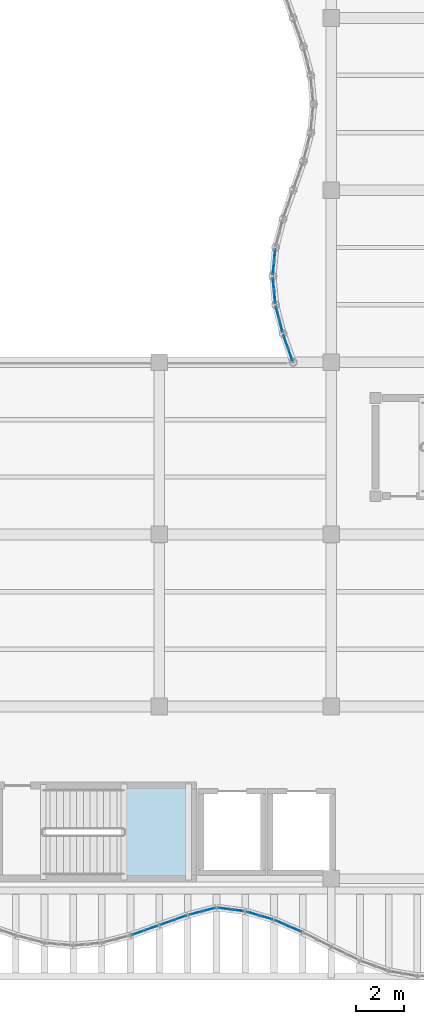
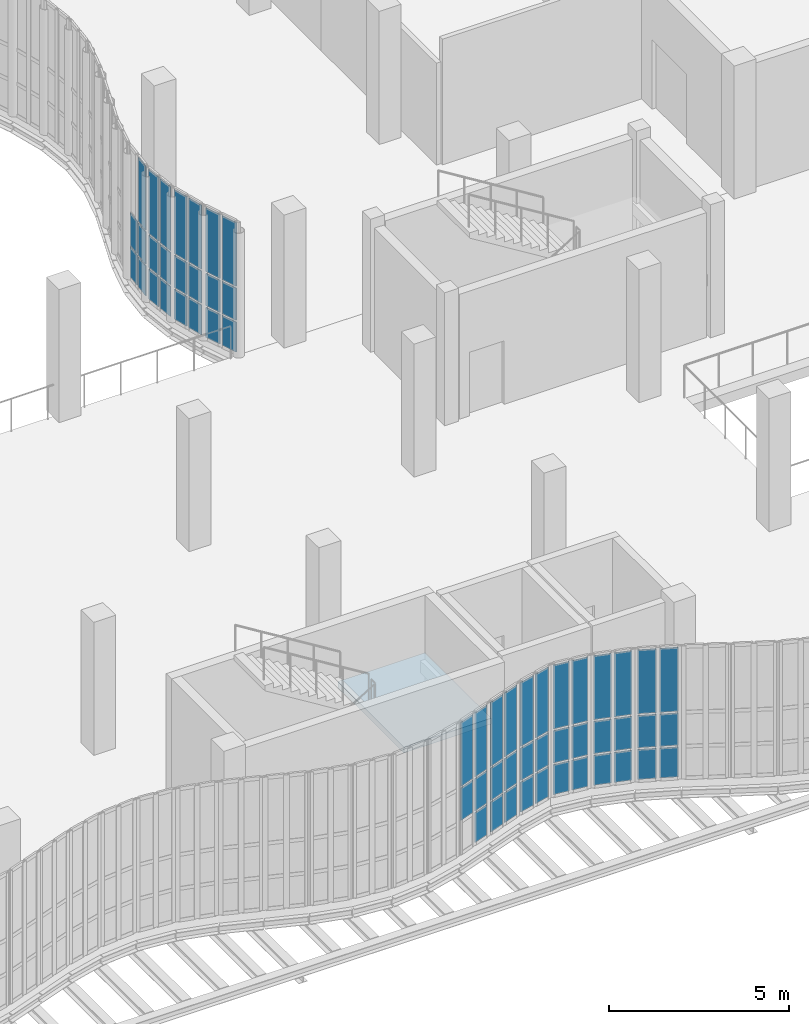
# One storey, part 70 of 108: 58 plates, 1 slab, 11 elements without a shape of their own.
"""IFC4 building model written with IfcOpenShell, lengths in metres."""

from ifc_helpers import new_model, si_unit, direction, frame, origin, origin_2d, place, context, subcontext, project, spatial, polyline, rectangle, outline, extrude, material, layer, layer_set, type_object, element, aggregate, save


model = new_model("IFC4")

# Units and contexts
model_context = context("Model", 3, precision=1e-05, world=origin(), true_north=direction((0.0, 1.0)))
body_context = subcontext(model_context, "Body", "Model", "MODEL_VIEW")
ifc_project = project(units=[si_unit("LENGTHUNIT", "METRE"), si_unit("AREAUNIT", "SQUARE_METRE"), si_unit("VOLUMEUNIT", "CUBIC_METRE"), si_unit("PLANEANGLEUNIT", "RADIAN"), si_unit("MASSUNIT", "GRAM", prefix="KILO"), si_unit("THERMODYNAMICTEMPERATUREUNIT", "KELVIN"), si_unit("POWERUNIT", "WATT")], contexts=[model_context])

# Site, building, storey
site_placement = place(None, origin())
site = spatial("IfcSite", under=ifc_project, at=site_placement, CompositionType="ELEMENT")
building_placement = place(site_placement, origin())
building = spatial("IfcBuilding", under=site, at=building_placement, Name="Kaldorven Railside Theatre", CompositionType="ELEMENT")
storey_placement = place(building_placement, frame((0.0, 0.0, 5.39990234375)))
storey = spatial("IfcBuildingStorey", under=building, at=storey_placement, Name="L01", CompositionType="ELEMENT", Elevation=5.39990234375)

# Curtain wall, plates
ifc_material_1 = material(Name="Low-E laminated solar-control glass", Category="glass")
ifc_layer_1 = layer(ifc_material_1, 0.159912109375, Name="Low-E laminated solar-control glass")
ifc_layer_set_1 = layer_set([ifc_layer_1], Name="Low-E laminated solar-control glass")
curtain_wall_type_1 = type_object("IfcCurtainWallType", Name="CWT-01", PredefinedType="USERDEFINED", material=ifc_layer_set_1)
curtain_wall_1_placement = place(storey_placement, origin())
curtain_wall_1 = element("IfcCurtainWall", 1, at=curtain_wall_1_placement, inside=storey, type_object=curtain_wall_type_1, Name="Sinusoidal Fluted Curtain Wall CW-L01-S24", ObjectType="FLUTED GLAZING", PredefinedType="USERDEFINED")
ifc_layer_2 = layer(ifc_material_1, 0.028076171875, Name="Low-E laminated solar-control glass")
ifc_layer_set_2 = layer_set([ifc_layer_2], Name="Low-E laminated solar-control glass")
plate_type = type_object("IfcPlateType", Name="CWP-GLZ28", PredefinedType="CURTAIN_PANEL", material=ifc_layer_set_2)
plate_1_placement = place(storey_placement, frame((64.71875, 16.93798828125, 1.1298828125), z_axis=(0.0, 0.0, 1.0), x_axis=(0.942627225159, 0.33384714225, 0.0)))
plate_1 = element("IfcPlate", 2, at=plate_1_placement, type_object=plate_type, Name="CW-L01-S24 panel 1.2", PredefinedType="CURTAIN_PANEL", context=body_context, shape_type="SweptSolid", body=[
    extrude(rectangle(XDim=0.5166015625, YDim=0.028076171875, at=origin_2d()), origin(), (0.0, 0.0, 1.0), 1.090087890625),
])
plate_2_placement = place(storey_placement, frame((64.71875, 16.93798828125, 2.2802734375), z_axis=(0.0, 0.0, 1.0), x_axis=(0.942627225159, 0.33384714225, 0.0)))
plate_2 = element("IfcPlate", 3, at=plate_2_placement, type_object=plate_type, Name="CW-L01-S24 panel 1.3", PredefinedType="CURTAIN_PANEL", context=body_context, shape_type="SweptSolid", body=[
    extrude(rectangle(XDim=0.5166015625, YDim=0.028076171875, at=origin_2d()), origin(), (0.0, 0.0, 1.0), 2.159912109375),
])
plate_3_placement = place(storey_placement, frame((65.28125, 17.136962890625, 0.06005859375), z_axis=(0.0, 0.0, 1.0), x_axis=(0.942627225159, 0.33384714225, 0.0)))
plate_3 = element("IfcPlate", 4, at=plate_3_placement, type_object=plate_type, Name="CW-L01-S24 panel 2.1", PredefinedType="CURTAIN_PANEL", context=body_context, shape_type="SweptSolid", body=[
    extrude(rectangle(XDim=0.5166015625, YDim=0.028076171875, at=origin_2d()), origin(), (0.0, 0.0, 1.0), 1.010009765625),
])
plate_4_placement = place(storey_placement, frame((65.28125, 17.136962890625, 1.1298828125), z_axis=(0.0, 0.0, 1.0), x_axis=(0.942627225159, 0.33384714225, 0.0)))
plate_4 = element("IfcPlate", 5, at=plate_4_placement, type_object=plate_type, Name="CW-L01-S24 panel 2.2", PredefinedType="CURTAIN_PANEL", context=body_context, shape_type="SweptSolid", body=[
    extrude(rectangle(XDim=0.5166015625, YDim=0.028076171875, at=origin_2d()), origin(), (0.0, 0.0, 1.0), 1.090087890625),
])
plate_5_placement = place(storey_placement, frame((65.28125, 17.136962890625, 2.2802734375), z_axis=(0.0, 0.0, 1.0), x_axis=(0.942627225159, 0.33384714225, 0.0)))
plate_5 = element("IfcPlate", 6, at=plate_5_placement, type_object=plate_type, Name="CW-L01-S24 panel 2.3", PredefinedType="CURTAIN_PANEL", context=body_context, shape_type="SweptSolid", body=[
    extrude(rectangle(XDim=0.5166015625, YDim=0.028076171875, at=origin_2d()), origin(), (0.0, 0.0, 1.0), 2.159912109375),
])
aggregate(curtain_wall_1, [plate_1, plate_2, plate_3, plate_4, plate_5])

curtain_wall_2_placement = place(storey_placement, origin())
curtain_wall_2 = element("IfcCurtainWall", 7, at=curtain_wall_2_placement, inside=storey, type_object=curtain_wall_type_1, Name="Sinusoidal Fluted Curtain Wall CW-L01-S25", ObjectType="FLUTED GLAZING", PredefinedType="USERDEFINED")
plate_6_placement = place(storey_placement, frame((65.9189453125, 17.363037109375, 0.06005859375), z_axis=(0.0, 0.0, 1.0), x_axis=(0.942627225159, 0.33384714225, 0.0)))
plate_6 = element("IfcPlate", 8, at=plate_6_placement, type_object=plate_type, Name="CW-L01-S25 panel 1.1", PredefinedType="CURTAIN_PANEL", context=body_context, shape_type="SweptSolid", body=[
    extrude(rectangle(XDim=0.5166015625, YDim=0.028076171875, at=origin_2d()), origin(), (0.0, 0.0, 1.0), 1.010009765625),
])
plate_7_placement = place(storey_placement, frame((65.9189453125, 17.363037109375, 1.1298828125), z_axis=(0.0, 0.0, 1.0), x_axis=(0.942627225159, 0.33384714225, 0.0)))
plate_7 = element("IfcPlate", 9, at=plate_7_placement, type_object=plate_type, Name="CW-L01-S25 panel 1.2", PredefinedType="CURTAIN_PANEL", context=body_context, shape_type="SweptSolid", body=[
    extrude(rectangle(XDim=0.5166015625, YDim=0.028076171875, at=origin_2d()), origin(), (0.0, 0.0, 1.0), 1.090087890625),
])
plate_8_placement = place(storey_placement, frame((65.9189453125, 17.363037109375, 2.2802734375), z_axis=(0.0, 0.0, 1.0), x_axis=(0.942627225159, 0.33384714225, 0.0)))
plate_8 = element("IfcPlate", 10, at=plate_8_placement, type_object=plate_type, Name="CW-L01-S25 panel 1.3", PredefinedType="CURTAIN_PANEL", context=body_context, shape_type="SweptSolid", body=[
    extrude(rectangle(XDim=0.5166015625, YDim=0.028076171875, at=origin_2d()), origin(), (0.0, 0.0, 1.0), 2.159912109375),
])
plate_9_placement = place(storey_placement, frame((66.481201171875, 17.56201171875, 0.06005859375), z_axis=(0.0, 0.0, 1.0), x_axis=(0.942627225159, 0.33384714225, 0.0)))
plate_9 = element("IfcPlate", 11, at=plate_9_placement, type_object=plate_type, Name="CW-L01-S25 panel 2.1", PredefinedType="CURTAIN_PANEL", context=body_context, shape_type="SweptSolid", body=[
    extrude(rectangle(XDim=0.5166015625, YDim=0.028076171875, at=origin_2d()), origin(), (0.0, 0.0, 1.0), 1.010009765625),
])
plate_10_placement = place(storey_placement, frame((66.481201171875, 17.56201171875, 1.1298828125), z_axis=(0.0, 0.0, 1.0), x_axis=(0.942627225159, 0.33384714225, 0.0)))
plate_10 = element("IfcPlate", 12, at=plate_10_placement, type_object=plate_type, Name="CW-L01-S25 panel 2.2", PredefinedType="CURTAIN_PANEL", context=body_context, shape_type="SweptSolid", body=[
    extrude(rectangle(XDim=0.5166015625, YDim=0.028076171875, at=origin_2d()), origin(), (0.0, 0.0, 1.0), 1.090087890625),
])
plate_11_placement = place(storey_placement, frame((66.481201171875, 17.56201171875, 2.2802734375), z_axis=(0.0, 0.0, 1.0), x_axis=(0.942627225159, 0.33384714225, 0.0)))
plate_11 = element("IfcPlate", 13, at=plate_11_placement, type_object=plate_type, Name="CW-L01-S25 panel 2.3", PredefinedType="CURTAIN_PANEL", context=body_context, shape_type="SweptSolid", body=[
    extrude(rectangle(XDim=0.5166015625, YDim=0.028076171875, at=origin_2d()), origin(), (0.0, 0.0, 1.0), 2.159912109375),
])
aggregate(curtain_wall_2, [plate_6, plate_7, plate_8, plate_9, plate_10, plate_11])

ifc_layer_3 = layer(ifc_material_1, 0.159912109375, Name="Low-E laminated solar-control glass")
ifc_layer_set_3 = layer_set([ifc_layer_3], Name="Low-E laminated solar-control glass")
curtain_wall_type_2 = type_object("IfcCurtainWallType", Name="CWT-02", PredefinedType="USERDEFINED", material=ifc_layer_set_3)
curtain_wall_3_placement = place(storey_placement, origin())
curtain_wall_3 = element("IfcCurtainWall", 14, at=curtain_wall_3_placement, inside=storey, type_object=curtain_wall_type_2, Name="Sinusoidal Fluted Curtain Wall CW-L01-S26", ObjectType="FLUTED GLAZING", PredefinedType="USERDEFINED")
plate_12_placement = place(storey_placement, frame((67.119384765625, 17.7578125, 0.06005859375), z_axis=(0.0, 0.0, 1.0), x_axis=(0.967999075505, 0.250953760326, 0.0)))
plate_12 = element("IfcPlate", 15, at=plate_12_placement, type_object=plate_type, Name="CW-L01-S26 panel 1.1", PredefinedType="CURTAIN_PANEL", context=body_context, shape_type="SweptSolid", body=[
    extrude(rectangle(XDim=0.499755859375, YDim=0.028076171875, at=origin_2d()), origin(), (0.0, 0.0, 1.0), 1.010009765625),
])
plate_13_placement = place(storey_placement, frame((67.119384765625, 17.7578125, 1.1298828125), z_axis=(0.0, 0.0, 1.0), x_axis=(0.967999075505, 0.250953760326, 0.0)))
plate_13 = element("IfcPlate", 16, at=plate_13_placement, type_object=plate_type, Name="CW-L01-S26 panel 1.2", PredefinedType="CURTAIN_PANEL", context=body_context, shape_type="SweptSolid", body=[
    extrude(rectangle(XDim=0.499755859375, YDim=0.028076171875, at=origin_2d()), origin(), (0.0, 0.0, 1.0), 1.090087890625),
])
plate_14_placement = place(storey_placement, frame((67.119384765625, 17.7578125, 2.2802734375), z_axis=(0.0, 0.0, 1.0), x_axis=(0.967999075505, 0.250953760326, 0.0)))
plate_14 = element("IfcPlate", 17, at=plate_14_placement, type_object=plate_type, Name="CW-L01-S26 panel 1.3", PredefinedType="CURTAIN_PANEL", context=body_context, shape_type="SweptSolid", body=[
    extrude(rectangle(XDim=0.499755859375, YDim=0.028076171875, at=origin_2d()), origin(), (0.0, 0.0, 1.0), 2.159912109375),
])
plate_15_placement = place(storey_placement, frame((67.6806640625, 17.9033203125, 0.06005859375), z_axis=(0.0, 0.0, 1.0), x_axis=(0.967999075505, 0.250953760326, 0.0)))
plate_15 = element("IfcPlate", 18, at=plate_15_placement, type_object=plate_type, Name="CW-L01-S26 panel 2.1", PredefinedType="CURTAIN_PANEL", context=body_context, shape_type="SweptSolid", body=[
    extrude(rectangle(XDim=0.499755859375, YDim=0.028076171875, at=origin_2d()), origin(), (0.0, 0.0, 1.0), 1.010009765625),
])
plate_16_placement = place(storey_placement, frame((67.6806640625, 17.9033203125, 1.1298828125), z_axis=(0.0, 0.0, 1.0), x_axis=(0.967999075505, 0.250953760326, 0.0)))
plate_16 = element("IfcPlate", 19, at=plate_16_placement, type_object=plate_type, Name="CW-L01-S26 panel 2.2", PredefinedType="CURTAIN_PANEL", context=body_context, shape_type="SweptSolid", body=[
    extrude(rectangle(XDim=0.499755859375, YDim=0.028076171875, at=origin_2d()), origin(), (0.0, 0.0, 1.0), 1.090087890625),
])
plate_17_placement = place(storey_placement, frame((67.6806640625, 17.9033203125, 2.2802734375), z_axis=(0.0, 0.0, 1.0), x_axis=(0.967999075505, 0.250953760326, 0.0)))
plate_17 = element("IfcPlate", 20, at=plate_17_placement, type_object=plate_type, Name="CW-L01-S26 panel 2.3", PredefinedType="CURTAIN_PANEL", context=body_context, shape_type="SweptSolid", body=[
    extrude(rectangle(XDim=0.499755859375, YDim=0.028076171875, at=origin_2d()), origin(), (0.0, 0.0, 1.0), 2.159912109375),
])
aggregate(curtain_wall_3, [plate_12, plate_13, plate_14, plate_15, plate_16, plate_17])

ifc_layer_4 = layer(ifc_material_1, 0.159912109375, Name="Low-E laminated solar-control glass")
ifc_layer_set_4 = layer_set([ifc_layer_4], Name="Low-E laminated solar-control glass")
curtain_wall_type_3 = type_object("IfcCurtainWallType", Name="CWT-03", PredefinedType="USERDEFINED", material=ifc_layer_set_4)
curtain_wall_4_placement = place(storey_placement, origin())
curtain_wall_4 = element("IfcCurtainWall", 21, at=curtain_wall_4_placement, inside=storey, type_object=curtain_wall_type_3, Name="Sinusoidal Fluted Curtain Wall CW-L01-S27", ObjectType="FLUTED GLAZING", PredefinedType="USERDEFINED")
plate_18_placement = place(storey_placement, frame((68.31982421875, 17.944580078125, 0.06005859375), z_axis=(0.0, 0.0, 1.0), x_axis=(0.991676733269, -0.12875269587, 0.0)))
plate_18 = element("IfcPlate", 22, at=plate_18_placement, type_object=plate_type, Name="CW-L01-S27 panel 1.1", PredefinedType="CURTAIN_PANEL", context=body_context, shape_type="SweptSolid", body=[
    extrude(rectangle(XDim=0.485107421875, YDim=0.028076171875, at=origin_2d()), origin(), (0.0, 0.0, 1.0), 1.010009765625),
])
plate_19_placement = place(storey_placement, frame((68.31982421875, 17.944580078125, 1.1298828125), z_axis=(0.0, 0.0, 1.0), x_axis=(0.991676733269, -0.12875269587, 0.0)))
plate_19 = element("IfcPlate", 23, at=plate_19_placement, type_object=plate_type, Name="CW-L01-S27 panel 1.2", PredefinedType="CURTAIN_PANEL", context=body_context, shape_type="SweptSolid", body=[
    extrude(rectangle(XDim=0.485107421875, YDim=0.028076171875, at=origin_2d()), origin(), (0.0, 0.0, 1.0), 1.090087890625),
])
plate_20_placement = place(storey_placement, frame((68.31982421875, 17.944580078125, 2.2802734375), z_axis=(0.0, 0.0, 1.0), x_axis=(0.991676733269, -0.12875269587, 0.0)))
plate_20 = element("IfcPlate", 24, at=plate_20_placement, type_object=plate_type, Name="CW-L01-S27 panel 1.3", PredefinedType="CURTAIN_PANEL", context=body_context, shape_type="SweptSolid", body=[
    extrude(rectangle(XDim=0.485107421875, YDim=0.028076171875, at=origin_2d()), origin(), (0.0, 0.0, 1.0), 2.159912109375),
])
plate_21_placement = place(storey_placement, frame((68.880126953125, 17.871826171875, 0.06005859375), z_axis=(0.0, 0.0, 1.0), x_axis=(0.991676733269, -0.12875269587, 0.0)))
plate_21 = element("IfcPlate", 25, at=plate_21_placement, type_object=plate_type, Name="CW-L01-S27 panel 2.1", PredefinedType="CURTAIN_PANEL", context=body_context, shape_type="SweptSolid", body=[
    extrude(rectangle(XDim=0.485107421875, YDim=0.028076171875, at=origin_2d()), origin(), (0.0, 0.0, 1.0), 1.010009765625),
])
plate_22_placement = place(storey_placement, frame((68.880126953125, 17.871826171875, 1.1298828125), z_axis=(0.0, 0.0, 1.0), x_axis=(0.991676733269, -0.12875269587, 0.0)))
plate_22 = element("IfcPlate", 26, at=plate_22_placement, type_object=plate_type, Name="CW-L01-S27 panel 2.2", PredefinedType="CURTAIN_PANEL", context=body_context, shape_type="SweptSolid", body=[
    extrude(rectangle(XDim=0.485107421875, YDim=0.028076171875, at=origin_2d()), origin(), (0.0, 0.0, 1.0), 1.090087890625),
])
plate_23_placement = place(storey_placement, frame((68.880126953125, 17.871826171875, 2.2802734375), z_axis=(0.0, 0.0, 1.0), x_axis=(0.991676733269, -0.12875269587, 0.0)))
plate_23 = element("IfcPlate", 27, at=plate_23_placement, type_object=plate_type, Name="CW-L01-S27 panel 2.3", PredefinedType="CURTAIN_PANEL", context=body_context, shape_type="SweptSolid", body=[
    extrude(rectangle(XDim=0.485107421875, YDim=0.028076171875, at=origin_2d()), origin(), (0.0, 0.0, 1.0), 2.159912109375),
])
aggregate(curtain_wall_4, [plate_18, plate_19, plate_20, plate_21, plate_22, plate_23])

ifc_layer_5 = layer(ifc_material_1, 0.159912109375, Name="Low-E laminated solar-control glass")
ifc_layer_set_5 = layer_set([ifc_layer_5], Name="Low-E laminated solar-control glass")
curtain_wall_type_4 = type_object("IfcCurtainWallType", Name="CWT-04", PredefinedType="USERDEFINED", material=ifc_layer_set_5)
curtain_wall_5_placement = place(storey_placement, origin())
curtain_wall_5 = element("IfcCurtainWall", 28, at=curtain_wall_5_placement, inside=storey, type_object=curtain_wall_type_4, Name="Sinusoidal Fluted Curtain Wall CW-L01-S28", ObjectType="FLUTED GLAZING", PredefinedType="USERDEFINED")
plate_24_placement = place(storey_placement, frame((69.519287109375, 17.736083984375, 0.06005859375), z_axis=(0.0, 0.0, 1.0), x_axis=(0.959157781116, -0.282871615621, 0.0)))
plate_24 = element("IfcPlate", 29, at=plate_24_placement, type_object=plate_type, Name="CW-L01-S28 panel 1.1", PredefinedType="CURTAIN_PANEL", context=body_context, shape_type="SweptSolid", body=[
    extrude(rectangle(XDim=0.505615234375, YDim=0.028076171875, at=origin_2d()), origin(), (0.0, 0.0, 1.0), 1.010009765625),
])
plate_25_placement = place(storey_placement, frame((69.519287109375, 17.736083984375, 1.1298828125), z_axis=(0.0, 0.0, 1.0), x_axis=(0.959157781116, -0.282871615621, 0.0)))
plate_25 = element("IfcPlate", 30, at=plate_25_placement, type_object=plate_type, Name="CW-L01-S28 panel 1.2", PredefinedType="CURTAIN_PANEL", context=body_context, shape_type="SweptSolid", body=[
    extrude(rectangle(XDim=0.505615234375, YDim=0.028076171875, at=origin_2d()), origin(), (0.0, 0.0, 1.0), 1.090087890625),
])
plate_26_placement = place(storey_placement, frame((69.519287109375, 17.736083984375, 2.2802734375), z_axis=(0.0, 0.0, 1.0), x_axis=(0.959157781116, -0.282871615621, 0.0)))
plate_26 = element("IfcPlate", 31, at=plate_26_placement, type_object=plate_type, Name="CW-L01-S28 panel 1.3", PredefinedType="CURTAIN_PANEL", context=body_context, shape_type="SweptSolid", body=[
    extrude(rectangle(XDim=0.505615234375, YDim=0.028076171875, at=origin_2d()), origin(), (0.0, 0.0, 1.0), 2.159912109375),
])
plate_27_placement = place(storey_placement, frame((70.080810546875, 17.570556640625, 0.06005859375), z_axis=(0.0, 0.0, 1.0), x_axis=(0.959157781116, -0.282871615621, 0.0)))
plate_27 = element("IfcPlate", 32, at=plate_27_placement, type_object=plate_type, Name="CW-L01-S28 panel 2.1", PredefinedType="CURTAIN_PANEL", context=body_context, shape_type="SweptSolid", body=[
    extrude(rectangle(XDim=0.505615234375, YDim=0.028076171875, at=origin_2d()), origin(), (0.0, 0.0, 1.0), 1.010009765625),
])
plate_28_placement = place(storey_placement, frame((70.080810546875, 17.570556640625, 1.1298828125), z_axis=(0.0, 0.0, 1.0), x_axis=(0.959157781116, -0.282871615621, 0.0)))
plate_28 = element("IfcPlate", 33, at=plate_28_placement, type_object=plate_type, Name="CW-L01-S28 panel 2.2", PredefinedType="CURTAIN_PANEL", context=body_context, shape_type="SweptSolid", body=[
    extrude(rectangle(XDim=0.505615234375, YDim=0.028076171875, at=origin_2d()), origin(), (0.0, 0.0, 1.0), 1.090087890625),
])
plate_29_placement = place(storey_placement, frame((70.080810546875, 17.570556640625, 2.2802734375), z_axis=(0.0, 0.0, 1.0), x_axis=(0.959157781116, -0.282871615621, 0.0)))
plate_29 = element("IfcPlate", 34, at=plate_29_placement, type_object=plate_type, Name="CW-L01-S28 panel 2.3", PredefinedType="CURTAIN_PANEL", context=body_context, shape_type="SweptSolid", body=[
    extrude(rectangle(XDim=0.505615234375, YDim=0.028076171875, at=origin_2d()), origin(), (0.0, 0.0, 1.0), 2.159912109375),
])
aggregate(curtain_wall_5, [plate_24, plate_25, plate_26, plate_27, plate_28, plate_29])

ifc_layer_6 = layer(ifc_material_1, 0.159912109375, Name="Low-E laminated solar-control glass")
ifc_layer_set_6 = layer_set([ifc_layer_6], Name="Low-E laminated solar-control glass")
curtain_wall_type_5 = type_object("IfcCurtainWallType", Name="CWT-05", PredefinedType="USERDEFINED", material=ifc_layer_set_6)
curtain_wall_6_placement = place(storey_placement, origin())
curtain_wall_6 = element("IfcCurtainWall", 35, at=curtain_wall_6_placement, inside=storey, type_object=curtain_wall_type_5, Name="Sinusoidal Fluted Curtain Wall CW-L01-S29", ObjectType="FLUTED GLAZING", PredefinedType="USERDEFINED")
plate_30_placement = place(storey_placement, frame((70.71826171875, 17.337890625, 0.06005859375), z_axis=(0.0, 0.0, 1.0), x_axis=(0.916997147675, -0.398893759235, 0.0)))
plate_30 = element("IfcPlate", 36, at=plate_30_placement, type_object=plate_type, Name="CW-L01-S29 panel 1.1", PredefinedType="CURTAIN_PANEL", context=body_context, shape_type="SweptSolid", body=[
    extrude(rectangle(XDim=0.534423828125, YDim=0.028076171875, at=origin_2d()), origin(), (0.0, 0.0, 1.0), 1.010009765625),
])
plate_31_placement = place(storey_placement, frame((70.71826171875, 17.337890625, 1.1298828125), z_axis=(0.0, 0.0, 1.0), x_axis=(0.916997147675, -0.398893759235, 0.0)))
plate_31 = element("IfcPlate", 37, at=plate_31_placement, type_object=plate_type, Name="CW-L01-S29 panel 1.2", PredefinedType="CURTAIN_PANEL", context=body_context, shape_type="SweptSolid", body=[
    extrude(rectangle(XDim=0.534423828125, YDim=0.028076171875, at=origin_2d()), origin(), (0.0, 0.0, 1.0), 1.090087890625),
])
plate_32_placement = place(storey_placement, frame((70.71826171875, 17.337890625, 2.2802734375), z_axis=(0.0, 0.0, 1.0), x_axis=(0.916997147675, -0.398893759235, 0.0)))
plate_32 = element("IfcPlate", 38, at=plate_32_placement, type_object=plate_type, Name="CW-L01-S29 panel 1.3", PredefinedType="CURTAIN_PANEL", context=body_context, shape_type="SweptSolid", body=[
    extrude(rectangle(XDim=0.534423828125, YDim=0.028076171875, at=origin_2d()), origin(), (0.0, 0.0, 1.0), 2.159912109375),
])
plate_33_placement = place(storey_placement, frame((71.28173828125, 17.0927734375, 0.06005859375), z_axis=(0.0, 0.0, 1.0), x_axis=(0.916997147675, -0.398893759235, 0.0)))
plate_33 = element("IfcPlate", 39, at=plate_33_placement, type_object=plate_type, Name="CW-L01-S29 panel 2.1", PredefinedType="CURTAIN_PANEL", context=body_context, shape_type="SweptSolid", body=[
    extrude(rectangle(XDim=0.534423828125, YDim=0.028076171875, at=origin_2d()), origin(), (0.0, 0.0, 1.0), 1.010009765625),
])
plate_34_placement = place(storey_placement, frame((71.28173828125, 17.0927734375, 1.1298828125), z_axis=(0.0, 0.0, 1.0), x_axis=(0.916997147675, -0.398893759235, 0.0)))
plate_34 = element("IfcPlate", 40, at=plate_34_placement, type_object=plate_type, Name="CW-L01-S29 panel 2.2", PredefinedType="CURTAIN_PANEL", context=body_context, shape_type="SweptSolid", body=[
    extrude(rectangle(XDim=0.534423828125, YDim=0.028076171875, at=origin_2d()), origin(), (0.0, 0.0, 1.0), 1.090087890625),
])
plate_35_placement = place(storey_placement, frame((71.28173828125, 17.0927734375, 2.2802734375), z_axis=(0.0, 0.0, 1.0), x_axis=(0.916997147675, -0.398893759235, 0.0)))
plate_35 = element("IfcPlate", 41, at=plate_35_placement, type_object=plate_type, Name="CW-L01-S29 panel 2.3", PredefinedType="CURTAIN_PANEL", context=body_context, shape_type="SweptSolid", body=[
    extrude(rectangle(XDim=0.534423828125, YDim=0.028076171875, at=origin_2d()), origin(), (0.0, 0.0, 1.0), 2.159912109375),
])
aggregate(curtain_wall_6, [plate_30, plate_31, plate_32, plate_33, plate_34, plate_35])

curtain_wall_7_placement = place(storey_placement, origin())
curtain_wall_7 = element("IfcCurtainWall", 42, at=curtain_wall_7_placement, inside=storey, type_object=curtain_wall_type_1, Name="Sinusoidal Fluted Curtain Wall CW-L01-W01", ObjectType="FLUTED GLAZING", PredefinedType="USERDEFINED")
plate_36_placement = place(storey_placement, frame((71.087158203125, 41.118896484375, 0.06005859375), z_axis=(0.0, 0.0, 1.0), x_axis=(-0.33384714225, 0.942627225159, 0.0)))
plate_36 = element("IfcPlate", 43, at=plate_36_placement, type_object=plate_type, Name="CW-L01-W01 panel 1.1", PredefinedType="CURTAIN_PANEL", context=body_context, shape_type="SweptSolid", body=[
    extrude(rectangle(XDim=0.5166015625, YDim=0.028076171875, at=origin_2d()), origin(), (0.0, 0.0, 1.0), 1.010009765625),
])
plate_37_placement = place(storey_placement, frame((71.087158203125, 41.118896484375, 1.1298828125), z_axis=(0.0, 0.0, 1.0), x_axis=(-0.33384714225, 0.942627225159, 0.0)))
plate_37 = element("IfcPlate", 44, at=plate_37_placement, type_object=plate_type, Name="CW-L01-W01 panel 1.2", PredefinedType="CURTAIN_PANEL", context=body_context, shape_type="SweptSolid", body=[
    extrude(rectangle(XDim=0.5166015625, YDim=0.028076171875, at=origin_2d()), origin(), (0.0, 0.0, 1.0), 1.090087890625),
])
plate_38_placement = place(storey_placement, frame((71.087158203125, 41.118896484375, 2.2802734375), z_axis=(0.0, 0.0, 1.0), x_axis=(-0.33384714225, 0.942627225159, 0.0)))
plate_38 = element("IfcPlate", 45, at=plate_38_placement, type_object=plate_type, Name="CW-L01-W01 panel 1.3", PredefinedType="CURTAIN_PANEL", context=body_context, shape_type="SweptSolid", body=[
    extrude(rectangle(XDim=0.5166015625, YDim=0.028076171875, at=origin_2d()), origin(), (0.0, 0.0, 1.0), 2.159912109375),
])
plate_39_placement = place(storey_placement, frame((70.887939453125, 41.68115234375, 0.06005859375), z_axis=(0.0, 0.0, 1.0), x_axis=(-0.33384714225, 0.942627225159, 0.0)))
plate_39 = element("IfcPlate", 46, at=plate_39_placement, type_object=plate_type, Name="CW-L01-W01 panel 2.1", PredefinedType="CURTAIN_PANEL", context=body_context, shape_type="SweptSolid", body=[
    extrude(rectangle(XDim=0.5166015625, YDim=0.028076171875, at=origin_2d()), origin(), (0.0, 0.0, 1.0), 1.010009765625),
])
plate_40_placement = place(storey_placement, frame((70.887939453125, 41.68115234375, 1.1298828125), z_axis=(0.0, 0.0, 1.0), x_axis=(-0.33384714225, 0.942627225159, 0.0)))
plate_40 = element("IfcPlate", 47, at=plate_40_placement, type_object=plate_type, Name="CW-L01-W01 panel 2.2", PredefinedType="CURTAIN_PANEL", context=body_context, shape_type="SweptSolid", body=[
    extrude(rectangle(XDim=0.5166015625, YDim=0.028076171875, at=origin_2d()), origin(), (0.0, 0.0, 1.0), 1.090087890625),
])
plate_41_placement = place(storey_placement, frame((70.887939453125, 41.68115234375, 2.2802734375), z_axis=(0.0, 0.0, 1.0), x_axis=(-0.33384714225, 0.942627225159, 0.0)))
plate_41 = element("IfcPlate", 48, at=plate_41_placement, type_object=plate_type, Name="CW-L01-W01 panel 2.3", PredefinedType="CURTAIN_PANEL", context=body_context, shape_type="SweptSolid", body=[
    extrude(rectangle(XDim=0.5166015625, YDim=0.028076171875, at=origin_2d()), origin(), (0.0, 0.0, 1.0), 2.159912109375),
])
aggregate(curtain_wall_7, [plate_36, plate_37, plate_38, plate_39, plate_40, plate_41])

curtain_wall_8_placement = place(storey_placement, origin())
curtain_wall_8 = element("IfcCurtainWall", 49, at=curtain_wall_8_placement, inside=storey, type_object=curtain_wall_type_2, Name="Sinusoidal Fluted Curtain Wall CW-L01-W02", ObjectType="FLUTED GLAZING", PredefinedType="USERDEFINED")
plate_42_placement = place(storey_placement, frame((70.692138671875, 42.3193359375, 0.06005859375), z_axis=(0.0, 0.0, 1.0), x_axis=(-0.250953760326, 0.967999075505, 0.0)))
plate_42 = element("IfcPlate", 50, at=plate_42_placement, type_object=plate_type, Name="CW-L01-W02 panel 1.1", PredefinedType="CURTAIN_PANEL", context=body_context, shape_type="SweptSolid", body=[
    extrude(rectangle(XDim=0.499755859375, YDim=0.028076171875, at=origin_2d()), origin(), (0.0, 0.0, 1.0), 1.010009765625),
])
plate_43_placement = place(storey_placement, frame((70.692138671875, 42.3193359375, 1.1298828125), z_axis=(0.0, 0.0, 1.0), x_axis=(-0.250953760326, 0.967999075505, 0.0)))
plate_43 = element("IfcPlate", 51, at=plate_43_placement, type_object=plate_type, Name="CW-L01-W02 panel 1.2", PredefinedType="CURTAIN_PANEL", context=body_context, shape_type="SweptSolid", body=[
    extrude(rectangle(XDim=0.499755859375, YDim=0.028076171875, at=origin_2d()), origin(), (0.0, 0.0, 1.0), 1.090087890625),
])
plate_44_placement = place(storey_placement, frame((70.692138671875, 42.3193359375, 2.2802734375), z_axis=(0.0, 0.0, 1.0), x_axis=(-0.250953760326, 0.967999075505, 0.0)))
plate_44 = element("IfcPlate", 52, at=plate_44_placement, type_object=plate_type, Name="CW-L01-W02 panel 1.3", PredefinedType="CURTAIN_PANEL", context=body_context, shape_type="SweptSolid", body=[
    extrude(rectangle(XDim=0.499755859375, YDim=0.028076171875, at=origin_2d()), origin(), (0.0, 0.0, 1.0), 2.159912109375),
])
plate_45_placement = place(storey_placement, frame((70.546630859375, 42.880615234375, 0.06005859375), z_axis=(0.0, 0.0, 1.0), x_axis=(-0.250953760326, 0.967999075505, 0.0)))
plate_45 = element("IfcPlate", 53, at=plate_45_placement, type_object=plate_type, Name="CW-L01-W02 panel 2.1", PredefinedType="CURTAIN_PANEL", context=body_context, shape_type="SweptSolid", body=[
    extrude(rectangle(XDim=0.499755859375, YDim=0.028076171875, at=origin_2d()), origin(), (0.0, 0.0, 1.0), 1.010009765625),
])
plate_46_placement = place(storey_placement, frame((70.546630859375, 42.880615234375, 1.1298828125), z_axis=(0.0, 0.0, 1.0), x_axis=(-0.250953760326, 0.967999075505, 0.0)))
plate_46 = element("IfcPlate", 54, at=plate_46_placement, type_object=plate_type, Name="CW-L01-W02 panel 2.2", PredefinedType="CURTAIN_PANEL", context=body_context, shape_type="SweptSolid", body=[
    extrude(rectangle(XDim=0.499755859375, YDim=0.028076171875, at=origin_2d()), origin(), (0.0, 0.0, 1.0), 1.090087890625),
])
plate_47_placement = place(storey_placement, frame((70.546630859375, 42.880615234375, 2.2802734375), z_axis=(0.0, 0.0, 1.0), x_axis=(-0.250953760326, 0.967999075505, 0.0)))
plate_47 = element("IfcPlate", 55, at=plate_47_placement, type_object=plate_type, Name="CW-L01-W02 panel 2.3", PredefinedType="CURTAIN_PANEL", context=body_context, shape_type="SweptSolid", body=[
    extrude(rectangle(XDim=0.499755859375, YDim=0.028076171875, at=origin_2d()), origin(), (0.0, 0.0, 1.0), 2.159912109375),
])
aggregate(curtain_wall_8, [plate_42, plate_43, plate_44, plate_45, plate_46, plate_47])

curtain_wall_9_placement = place(storey_placement, origin())
curtain_wall_9 = element("IfcCurtainWall", 56, at=curtain_wall_9_placement, inside=storey, type_object=curtain_wall_type_3, Name="Sinusoidal Fluted Curtain Wall CW-L01-W03", ObjectType="FLUTED GLAZING", PredefinedType="USERDEFINED")
plate_48_placement = place(storey_placement, frame((70.43359375, 43.52001953125, 0.06005859375), z_axis=(0.0, 0.0, 1.0), x_axis=(-0.094491973758, 0.995525623425, 0.0)))
plate_48 = element("IfcPlate", 57, at=plate_48_placement, type_object=plate_type, Name="CW-L01-W03 panel 1.1", PredefinedType="CURTAIN_PANEL", context=body_context, shape_type="SweptSolid", body=[
    extrude(rectangle(XDim=0.482666015625, YDim=0.028076171875, at=origin_2d()), origin(), (0.0, 0.0, 1.0), 1.010009765625),
])
plate_49_placement = place(storey_placement, frame((70.43359375, 43.52001953125, 1.1298828125), z_axis=(0.0, 0.0, 1.0), x_axis=(-0.094491973758, 0.995525623425, 0.0)))
plate_49 = element("IfcPlate", 58, at=plate_49_placement, type_object=plate_type, Name="CW-L01-W03 panel 1.2", PredefinedType="CURTAIN_PANEL", context=body_context, shape_type="SweptSolid", body=[
    extrude(rectangle(XDim=0.482666015625, YDim=0.028076171875, at=origin_2d()), origin(), (0.0, 0.0, 1.0), 1.090087890625),
])
plate_50_placement = place(storey_placement, frame((70.43359375, 43.52001953125, 2.2802734375), z_axis=(0.0, 0.0, 1.0), x_axis=(-0.094491973758, 0.995525623425, 0.0)))
plate_50 = element("IfcPlate", 59, at=plate_50_placement, type_object=plate_type, Name="CW-L01-W03 panel 1.3", PredefinedType="CURTAIN_PANEL", context=body_context, shape_type="SweptSolid", body=[
    extrude(rectangle(XDim=0.482666015625, YDim=0.028076171875, at=origin_2d()), origin(), (0.0, 0.0, 1.0), 2.159912109375),
])
plate_51_placement = place(storey_placement, frame((70.38037109375, 44.080078125, 0.06005859375), z_axis=(0.0, 0.0, 1.0), x_axis=(-0.094491973758, 0.995525623425, 0.0)))
plate_51 = element("IfcPlate", 60, at=plate_51_placement, type_object=plate_type, Name="CW-L01-W03 panel 2.1", PredefinedType="CURTAIN_PANEL", context=body_context, shape_type="SweptSolid", body=[
    extrude(rectangle(XDim=0.482666015625, YDim=0.028076171875, at=origin_2d()), origin(), (0.0, 0.0, 1.0), 1.010009765625),
])
plate_52_placement = place(storey_placement, frame((70.38037109375, 44.080078125, 1.1298828125), z_axis=(0.0, 0.0, 1.0), x_axis=(-0.094491973758, 0.995525623425, 0.0)))
plate_52 = element("IfcPlate", 61, at=plate_52_placement, type_object=plate_type, Name="CW-L01-W03 panel 2.2", PredefinedType="CURTAIN_PANEL", context=body_context, shape_type="SweptSolid", body=[
    extrude(rectangle(XDim=0.482666015625, YDim=0.028076171875, at=origin_2d()), origin(), (0.0, 0.0, 1.0), 1.090087890625),
])
plate_53_placement = place(storey_placement, frame((70.38037109375, 44.080078125, 2.2802734375), z_axis=(0.0, 0.0, 1.0), x_axis=(-0.094491973758, 0.995525623425, 0.0)))
plate_53 = element("IfcPlate", 62, at=plate_53_placement, type_object=plate_type, Name="CW-L01-W03 panel 2.3", PredefinedType="CURTAIN_PANEL", context=body_context, shape_type="SweptSolid", body=[
    extrude(rectangle(XDim=0.482666015625, YDim=0.028076171875, at=origin_2d()), origin(), (0.0, 0.0, 1.0), 2.159912109375),
])
aggregate(curtain_wall_9, [plate_48, plate_49, plate_50, plate_51, plate_52, plate_53])

curtain_wall_10_placement = place(storey_placement, origin())
curtain_wall_10 = element("IfcCurtainWall", 63, at=curtain_wall_10_placement, inside=storey, type_object=curtain_wall_type_3, Name="Sinusoidal Fluted Curtain Wall CW-L01-W04", ObjectType="FLUTED GLAZING", PredefinedType="USERDEFINED")
plate_54_placement = place(storey_placement, frame((70.38037109375, 44.719970703125, 0.06005859375), z_axis=(0.0, 0.0, 1.0), x_axis=(0.094491973758, 0.995525623425, 0.0)))
plate_54 = element("IfcPlate", 64, at=plate_54_placement, type_object=plate_type, Name="CW-L01-W04 panel 1.1", PredefinedType="CURTAIN_PANEL", context=body_context, shape_type="SweptSolid", body=[
    extrude(rectangle(XDim=0.482666015625, YDim=0.028076171875, at=origin_2d()), origin(), (0.0, 0.0, 1.0), 1.010009765625),
])
plate_55_placement = place(storey_placement, frame((70.38037109375, 44.719970703125, 1.1298828125), z_axis=(0.0, 0.0, 1.0), x_axis=(0.094491973758, 0.995525623425, 0.0)))
plate_55 = element("IfcPlate", 65, at=plate_55_placement, type_object=plate_type, Name="CW-L01-W04 panel 1.2", PredefinedType="CURTAIN_PANEL", context=body_context, shape_type="SweptSolid", body=[
    extrude(rectangle(XDim=0.482666015625, YDim=0.028076171875, at=origin_2d()), origin(), (0.0, 0.0, 1.0), 1.090087890625),
])
plate_56_placement = place(storey_placement, frame((70.38037109375, 44.719970703125, 2.2802734375), z_axis=(0.0, 0.0, 1.0), x_axis=(0.094491973758, 0.995525623425, 0.0)))
plate_56 = element("IfcPlate", 66, at=plate_56_placement, type_object=plate_type, Name="CW-L01-W04 panel 1.3", PredefinedType="CURTAIN_PANEL", context=body_context, shape_type="SweptSolid", body=[
    extrude(rectangle(XDim=0.482666015625, YDim=0.028076171875, at=origin_2d()), origin(), (0.0, 0.0, 1.0), 2.159912109375),
])
plate_57_placement = place(storey_placement, frame((70.43359375, 45.280029296875, 0.06005859375), z_axis=(0.0, 0.0, 1.0), x_axis=(0.094491973758, 0.995525623425, 0.0)))
plate_57 = element("IfcPlate", 67, at=plate_57_placement, type_object=plate_type, Name="CW-L01-W04 panel 2.1", PredefinedType="CURTAIN_PANEL", context=body_context, shape_type="SweptSolid", body=[
    extrude(rectangle(XDim=0.482666015625, YDim=0.028076171875, at=origin_2d()), origin(), (0.0, 0.0, 1.0), 1.010009765625),
])
plate_58_placement = place(storey_placement, frame((70.43359375, 45.280029296875, 1.1298828125), z_axis=(0.0, 0.0, 1.0), x_axis=(0.094491973758, 0.995525623425, 0.0)))
plate_58 = element("IfcPlate", 68, at=plate_58_placement, type_object=plate_type, Name="CW-L01-W04 panel 2.2", PredefinedType="CURTAIN_PANEL", context=body_context, shape_type="SweptSolid", body=[
    extrude(rectangle(XDim=0.482666015625, YDim=0.028076171875, at=origin_2d()), origin(), (0.0, 0.0, 1.0), 1.090087890625),
])
aggregate(curtain_wall_10, [plate_54, plate_55, plate_56, plate_57, plate_58])

# Stair, slab
ifc_material_2 = material(Name="Concrete C35/45", Category="concrete")
stair_type = type_object("IfcStairType", Name="STR-DL-03", PredefinedType="HALF_TURN_STAIR", material=ifc_material_2)
stair_placement = place(storey_placement, origin())
stair = element("IfcStair", 69, at=stair_placement, inside=storey, type_object=stair_type, Name="L01 Core C-FS Escape Stair ST-03", PredefinedType="HALF_TURN_STAIR")
ifc_layer_7 = layer(ifc_material_2, 0.199951171875, Name="Concrete C35/45")
ifc_layer_set_7 = layer_set([ifc_layer_7], Name="Concrete C35/45")
slab_type = type_object("IfcSlabType", Name="SLB-LSL-200", PredefinedType="LANDING", material=ifc_layer_set_7)
slab_placement = place(storey_placement, frame((0.0, 0.0, 2.050048828125)))
slab = element("IfcSlab", 70, at=slab_placement, type_object=slab_type, Name="ST-03 landing 1", PredefinedType="LANDING", context=body_context, shape_type="SweptSolid", body=[
    extrude(outline(polyline([(64.0849609375, 19.320068359375), (66.8798828125, 19.320068359375), (66.8798828125, 22.97998046875), (64.0849609375, 22.97998046875), (64.0849609375, 19.320068359375)])), origin(), (0.0, 0.0, 1.0), 0.199951171875),
])
aggregate(stair, [slab])

save(model, "model.ifc")
